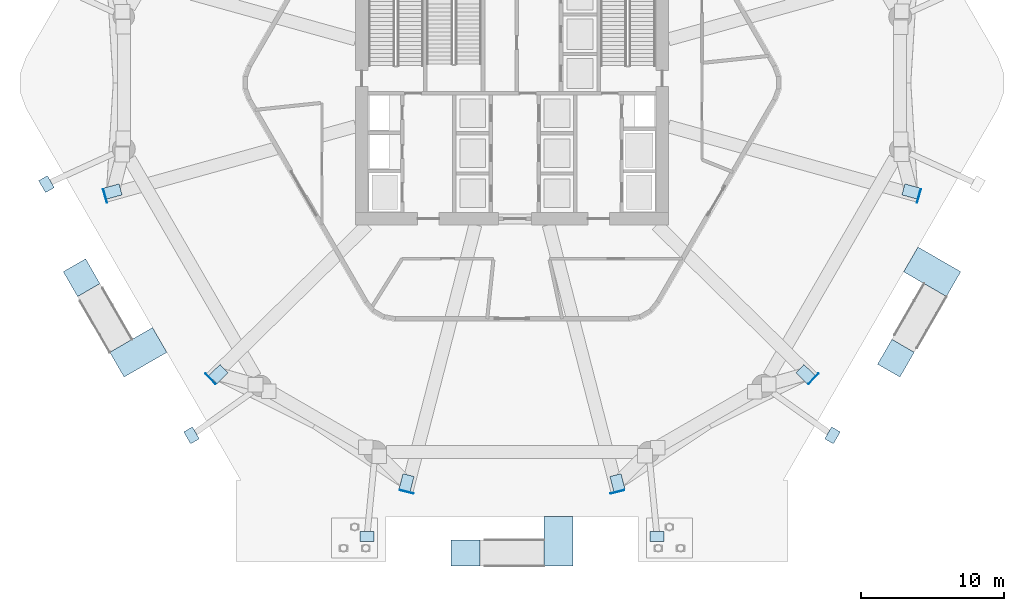
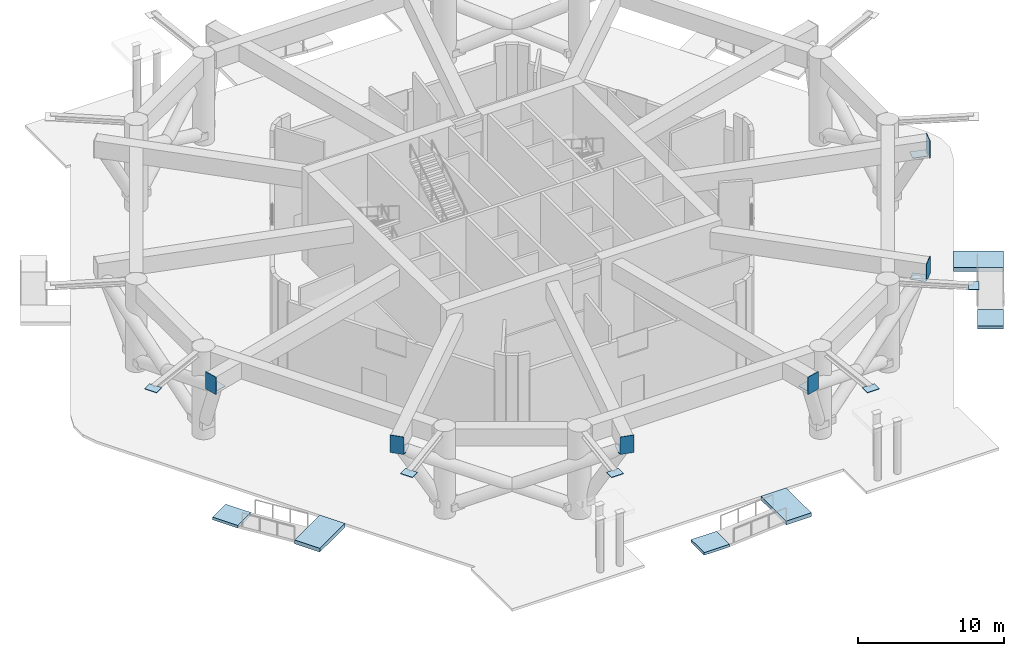
# One storey, part 5 of 17: 17 plates, 6 slabs.
"""IFC4 building model written with IfcOpenShell, lengths in metres."""

from ifc_helpers import new_model, si_unit, direction, frame, origin, origin_2d, place, context, subcontext, project, spatial, polyline, rectangle, outline, extrude, material, layer, layer_set, type_object, element, save


model = new_model("IFC4")

# Units and contexts
model_context = context("Model", 3, precision=1e-05, world=origin(), true_north=direction((0.0, 1.0)))
body_context = subcontext(model_context, "Body", "Model", "MODEL_VIEW")
ifc_project = project(units=[si_unit("LENGTHUNIT", "METRE"), si_unit("AREAUNIT", "SQUARE_METRE"), si_unit("VOLUMEUNIT", "CUBIC_METRE"), si_unit("PLANEANGLEUNIT", "RADIAN"), si_unit("MASSUNIT", "GRAM", prefix="KILO")], contexts=[model_context])

# Site, building, storey
site_placement = place(None, origin())
site = spatial("IfcSite", under=ifc_project, at=site_placement, CompositionType="ELEMENT")
building_placement = place(site_placement, origin())
building = spatial("IfcBuilding", under=site, at=building_placement, Name="Zuhravey Tower", CompositionType="ELEMENT")
storey_placement = place(building_placement, origin())
storey = spatial("IfcBuildingStorey", under=building, at=storey_placement, Name="L01", CompositionType="ELEMENT", Elevation=0.0)

# Plates
ifc_material_1 = material(Name="Steel SM460", Category="steel")
ifc_layer_1 = layer(ifc_material_1, 0.0400390625)
ifc_layer_set_1 = layer_set([ifc_layer_1], Name="Steel SM460")
plate_type_1 = type_object("IfcPlateType", Name="Exoskeleton Zone 1 Node Plate ND1", PredefinedType="SHEET", material=ifc_layer_set_1)
for number, where, z_axis, x_axis, name in (
    (1, (3.462646484375, 24.91943359375, 7.115966796875), (0.0, 0.0, 1.0), (0.5, -0.866025403784, 0.0), "L01 Exoskeleton Node Gusset L02-07"),
    (2, (13.599365234375, 7.362060546875, 7.115966796875), (0.0, 0.0, 1.0), (0.5, -0.866025403784, 0.0), "L01 Exoskeleton Node Gusset L02-08"),
    (3, (25.86328125, 0.281494140625, 7.115966796875), (0.0, 0.0, 1.0), (1.0, 0.0, 0.0), "L01 Exoskeleton Node Gusset L02-09"),
    (4, (46.13671875, 0.281494140625, 7.115966796875), (0.0, 0.0, 1.0), (1.0, 0.0, 0.0), "L01 Exoskeleton Node Gusset L02-10"),
    (5, (58.400634765625, 7.362060546875, 7.115966796875), (0.0, 0.0, 1.0), (0.5, 0.866025403784, 0.0), "L01 Exoskeleton Node Gusset L02-11"),
):
    element("IfcPlate", number, at=place(storey_placement, frame(where, z_axis=z_axis, x_axis=x_axis)), inside=storey, type_object=plate_type_1, Name=name, PredefinedType="SHEET", context=body_context, shape_type="SweptSolid", body=[
        extrude(rectangle(XDim=0.9599609375, YDim=0.699951171875, at=origin_2d()), origin(), (0.0, 0.0, 1.0), 0.0400390625),
    ])

# Slabs
ifc_material_2 = material(Name="Concrete C50/60", Category="concrete")
ifc_layer_2 = layer(ifc_material_2, 0.260009765625)
ifc_layer_set_2 = layer_set([ifc_layer_2], Name="Concrete C50/60")
slab_type = type_object("IfcSlabType", Name="Sky-Playground & Garden Tray Slab 260", PredefinedType="FLOOR", material=ifc_layer_set_2)
slab_1_placement = place(storey_placement, frame((0.0, 0.0, -0.320068359375)))
element("IfcSlab", 6, at=slab_1_placement, inside=storey, type_object=slab_type, Name="L01 Ramp 4 Upper Landing", PredefinedType="FLOOR", context=body_context, shape_type="SweptSolid", body=[
    extrude(outline(polyline([(10.874755859375, 14.896484375), (11.875, 13.1640625), (8.88720703125, 11.43896484375), (7.886962890625, 13.171630859375), (10.874755859375, 14.896484375)])), origin(), (0.0, 0.0, 1.0), 0.320068359375),
])
slab_2_placement = place(storey_placement, frame((0.0, 0.0, -0.580078125)))
element("IfcSlab", 7, at=slab_2_placement, inside=storey, type_object=slab_type, Name="L01 Ramp 4 Lower Grade Landing", PredefinedType="FLOOR", context=body_context, shape_type="SweptSolid", body=[
    extrude(outline(polyline([(6.196044921875, 19.7001953125), (7.1962890625, 17.967529296875), (5.637451171875, 17.0673828125), (4.63720703125, 18.800048828125), (6.196044921875, 19.7001953125)])), origin(), (0.0, 0.0, 1.0), 0.219970703125),
])
slab_3_placement = place(storey_placement, frame((0.0, 0.0, -0.320068359375)))
element("IfcSlab", 8, at=slab_3_placement, inside=storey, type_object=slab_type, Name="L01 Ramp 5 Upper Landing", PredefinedType="FLOOR", context=body_context, shape_type="SweptSolid", body=[
    extrude(outline(polyline([(38.249267578125, 1.689208984375), (40.25, 1.689208984375), (40.25, -1.760986328125), (38.249267578125, -1.760986328125), (38.249267578125, 1.689208984375)])), origin(), (0.0, 0.0, 1.0), 0.320068359375),
])
slab_4_placement = place(storey_placement, frame((0.0, 0.0, -0.580078125)))
element("IfcSlab", 9, at=slab_4_placement, inside=storey, type_object=slab_type, Name="L01 Ramp 5 Lower Grade Landing", PredefinedType="FLOOR", context=body_context, shape_type="SweptSolid", body=[
    extrude(outline(polyline([(31.75, 0.0390625), (33.750732421875, 0.0390625), (33.750732421875, -1.760986328125), (31.75, -1.760986328125), (31.75, 0.0390625)])), origin(), (0.0, 0.0, 1.0), 0.219970703125),
])
slab_5_placement = place(storey_placement, frame((0.0, 0.0, -0.320068359375)))
element("IfcSlab", 10, at=slab_5_placement, inside=storey, type_object=slab_type, Name="L01 Ramp 6 Upper Landing", PredefinedType="FLOOR", context=body_context, shape_type="SweptSolid", body=[
    extrude(outline(polyline([(63.374755859375, 18.79248046875), (64.375, 20.525146484375), (67.36279296875, 18.800048828125), (66.362548828125, 17.0673828125), (63.374755859375, 18.79248046875)])), origin(), (0.0, 0.0, 1.0), 0.320068359375),
])
slab_6_placement = place(storey_placement, frame((0.0, 0.0, -0.580078125)))
element("IfcSlab", 11, at=slab_6_placement, inside=storey, type_object=slab_type, Name="L01 Ramp 6 Lower Grade Landing", PredefinedType="FLOOR", context=body_context, shape_type="SweptSolid", body=[
    extrude(outline(polyline([(61.553955078125, 12.3388671875), (62.55419921875, 14.071533203125), (64.113037109375, 13.171630859375), (63.11279296875, 11.43896484375), (61.553955078125, 12.3388671875)])), origin(), (0.0, 0.0, 1.0), 0.219970703125),
])

# Plates
ifc_layer_3 = layer(ifc_material_1, 0.0400390625)
ifc_layer_set_3 = layer_set([ifc_layer_3], Name="Steel SM460")
plate_type_2 = type_object("IfcPlateType", Name="Stilt Transfer Node Plate ND5", PredefinedType="SHEET", material=ifc_layer_set_3)
plate_1_placement = place(storey_placement, frame((8.11083984375, 24.408447265625, 5.910400390625), z_axis=(0.0, 0.0, 1.0), x_axis=(-0.963490395436, -0.267742895148, 0.0)))
element("IfcPlate", 12, at=plate_1_placement, inside=storey, type_object=plate_type_2, Name="L01 Transfer Node Gusset ND5-T07", PredefinedType="SHEET", context=body_context, shape_type="SweptSolid", body=[
    extrude(rectangle(XDim=1.10009765625, YDim=0.800048828125, at=origin_2d()), origin(), (0.0, 0.0, 1.0), 0.0400390625),
])
plate_2_placement = place(storey_placement, frame((7.5595703125, 24.094482421875, 5.919921875), z_axis=(0.0, 0.0, 1.0), x_axis=(-0.963490395436, -0.267742895148, 0.0)))
element("IfcPlate", 13, at=plate_2_placement, inside=storey, type_object=plate_type_2, Name="L01 Transfer End Cap ND5-C07", PredefinedType="SHEET", context=body_context, shape_type="SweptSolid", body=[
    extrude(rectangle(XDim=0.0400390625, YDim=1.0, at=origin_2d()), origin(), (0.0, 0.0, 1.0), 1.4599609375),
])
plate_3_placement = place(storey_placement, frame((15.48095703125, 11.64306640625, 5.910400390625), z_axis=(0.0, 0.0, 1.0), x_axis=(-0.713617346599, -0.700535711176, 0.0)))
element("IfcPlate", 14, at=plate_3_placement, inside=storey, type_object=plate_type_2, Name="L01 Transfer Node Gusset ND5-T08", PredefinedType="SHEET", context=body_context, shape_type="SweptSolid", body=[
    extrude(rectangle(XDim=1.10009765625, YDim=0.800048828125, at=origin_2d()), origin(), (0.0, 0.0, 1.0), 0.0400390625),
])
plate_4_placement = place(storey_placement, frame((14.933349609375, 11.322509765625, 5.919921875), z_axis=(0.0, 0.0, 1.0), x_axis=(-0.713617346599, -0.700535711176, 0.0)))
element("IfcPlate", 15, at=plate_4_placement, inside=storey, type_object=plate_type_2, Name="L01 Transfer End Cap ND5-C08", PredefinedType="SHEET", context=body_context, shape_type="SweptSolid", body=[
    extrude(rectangle(XDim=0.0400390625, YDim=1.0, at=origin_2d()), origin(), (0.0, 0.0, 1.0), 1.4599609375),
])
plate_5_placement = place(storey_placement, frame((28.6298828125, 4.051513671875, 5.910400390625), z_axis=(0.0, 0.0, 1.0), x_axis=(-0.249873048837, -0.968278606324, 0.0)))
element("IfcPlate", 16, at=plate_5_placement, inside=storey, type_object=plate_type_2, Name="L01 Transfer Node Gusset ND5-T09", PredefinedType="SHEET", context=body_context, shape_type="SweptSolid", body=[
    extrude(rectangle(XDim=1.10009765625, YDim=0.800048828125, at=origin_2d()), origin(), (0.0, 0.0, 1.0), 0.0400390625),
])
plate_6_placement = place(storey_placement, frame((28.626220703125, 3.4169921875, 5.919921875), z_axis=(0.0, 0.0, 1.0), x_axis=(-0.249873048837, -0.968278606324, 0.0)))
element("IfcPlate", 17, at=plate_6_placement, inside=storey, type_object=plate_type_2, Name="L01 Transfer End Cap ND5-C09", PredefinedType="SHEET", context=body_context, shape_type="SweptSolid", body=[
    extrude(rectangle(XDim=0.0400390625, YDim=1.0, at=origin_2d()), origin(), (0.0, 0.0, 1.0), 1.4599609375),
])
plate_7_placement = place(storey_placement, frame((43.3701171875, 4.051513671875, 5.910400390625), z_axis=(0.0, 0.0, 1.0), x_axis=(0.249873048837, -0.968278606324, 0.0)))
element("IfcPlate", 18, at=plate_7_placement, inside=storey, type_object=plate_type_2, Name="L01 Transfer Node Gusset ND5-T10", PredefinedType="SHEET", context=body_context, shape_type="SweptSolid", body=[
    extrude(rectangle(XDim=1.10009765625, YDim=0.800048828125, at=origin_2d()), origin(), (0.0, 0.0, 1.0), 0.0400390625),
])
plate_8_placement = place(storey_placement, frame((43.373779296875, 3.4169921875, 5.919921875), z_axis=(0.0, 0.0, 1.0), x_axis=(0.249873048837, -0.968278606324, 0.0)))
element("IfcPlate", 19, at=plate_8_placement, inside=storey, type_object=plate_type_2, Name="L01 Transfer End Cap ND5-C10", PredefinedType="SHEET", context=body_context, shape_type="SweptSolid", body=[
    extrude(rectangle(XDim=0.0400390625, YDim=1.0, at=origin_2d()), origin(), (0.0, 0.0, 1.0), 1.4599609375),
])
plate_9_placement = place(storey_placement, frame((56.51904296875, 11.64306640625, 5.910400390625), z_axis=(0.0, 0.0, 1.0), x_axis=(0.713617346599, -0.700535711176, 0.0)))
element("IfcPlate", 20, at=plate_9_placement, inside=storey, type_object=plate_type_2, Name="L01 Transfer Node Gusset ND5-T11", PredefinedType="SHEET", context=body_context, shape_type="SweptSolid", body=[
    extrude(rectangle(XDim=1.10009765625, YDim=0.800048828125, at=origin_2d()), origin(), (0.0, 0.0, 1.0), 0.0400390625),
])
plate_10_placement = place(storey_placement, frame((57.066650390625, 11.322509765625, 5.919921875), z_axis=(0.0, 0.0, 1.0), x_axis=(0.713617346599, -0.700535711176, 0.0)))
element("IfcPlate", 21, at=plate_10_placement, inside=storey, type_object=plate_type_2, Name="L01 Transfer End Cap ND5-C11", PredefinedType="SHEET", context=body_context, shape_type="SweptSolid", body=[
    extrude(rectangle(XDim=0.0400390625, YDim=1.0, at=origin_2d()), origin(), (0.0, 0.0, 1.0), 1.4599609375),
])
plate_11_placement = place(storey_placement, frame((63.88916015625, 24.408447265625, 5.910400390625), z_axis=(0.0, 0.0, 1.0), x_axis=(0.963490395436, -0.267742895148, 0.0)))
element("IfcPlate", 22, at=plate_11_placement, inside=storey, type_object=plate_type_2, Name="L01 Transfer Node Gusset ND5-T12", PredefinedType="SHEET", context=body_context, shape_type="SweptSolid", body=[
    extrude(rectangle(XDim=1.10009765625, YDim=0.800048828125, at=origin_2d()), origin(), (0.0, 0.0, 1.0), 0.0400390625),
])
plate_12_placement = place(storey_placement, frame((64.4404296875, 24.094482421875, 5.919921875), z_axis=(0.0, 0.0, 1.0), x_axis=(0.963490395436, -0.267742895148, 0.0)))
element("IfcPlate", 23, at=plate_12_placement, inside=storey, type_object=plate_type_2, Name="L01 Transfer End Cap ND5-C12", PredefinedType="SHEET", context=body_context, shape_type="SweptSolid", body=[
    extrude(rectangle(XDim=0.0400390625, YDim=1.0, at=origin_2d()), origin(), (0.0, 0.0, 1.0), 1.4599609375),
])

save(model, "model.ifc")
